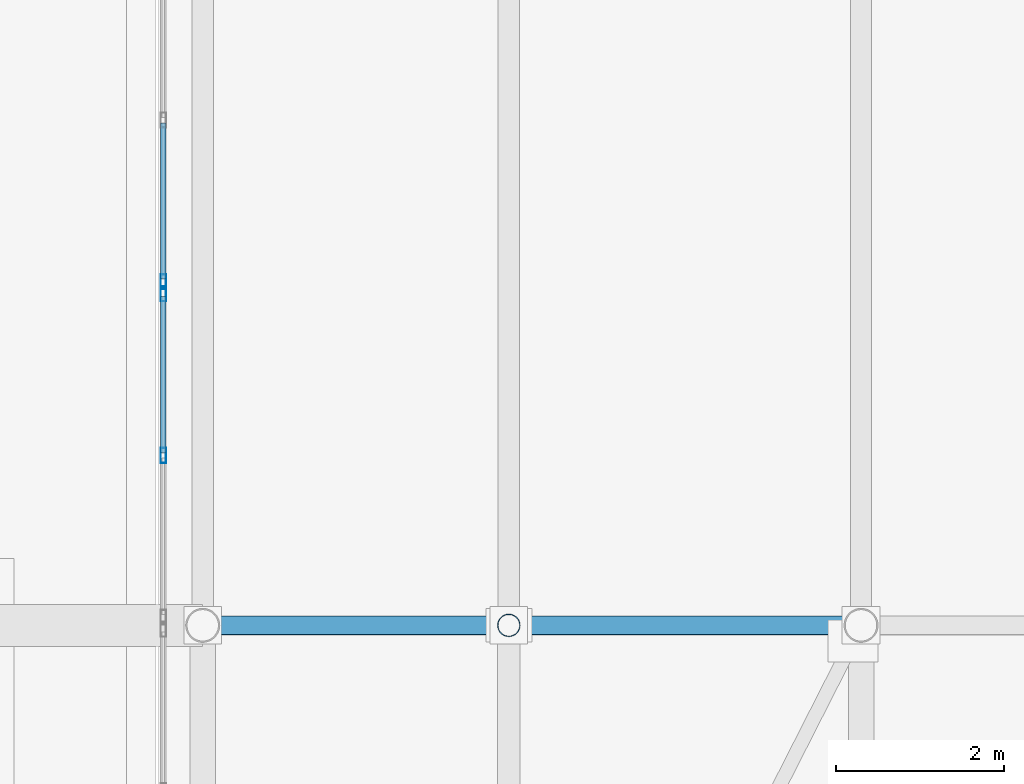
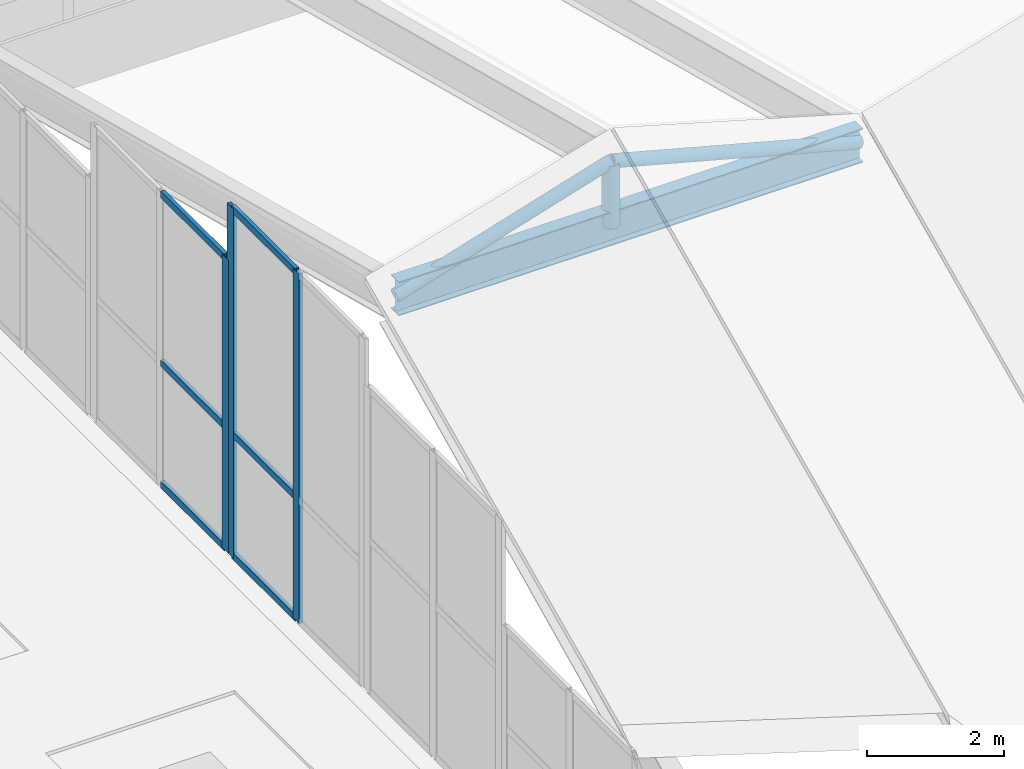
# One storey, part 36 of 184: 12 members, 1 beam, 2 elements without a shape of their own.
"""IFC4 building model written with IfcOpenShell, lengths in metres."""

from ifc_helpers import new_model, si_unit, direction, frame, origin, origin_2d, place, context, subcontext, project, spatial, hollow_rectangle, hollow_circle, i_section, extrude, material, material_profile, profile_set, type_object, element, aggregate, save


model = new_model("IFC4")

# Units and contexts
model_context = context("Model", 3, precision=1e-05, world=origin(), true_north=direction((0.0, 1.0)))
body_context = subcontext(model_context, "Body", "Model", "MODEL_VIEW")
ifc_project = project(units=[si_unit("LENGTHUNIT", "METRE"), si_unit("AREAUNIT", "SQUARE_METRE"), si_unit("VOLUMEUNIT", "CUBIC_METRE"), si_unit("PLANEANGLEUNIT", "RADIAN"), si_unit("MASSUNIT", "GRAM", prefix="KILO")], contexts=[model_context])

# Site, building, storey
site_placement = place(None, origin())
site = spatial("IfcSite", under=ifc_project, at=site_placement, CompositionType="ELEMENT")
building_placement = place(site_placement, origin())
building = spatial("IfcBuilding", under=site, at=building_placement, Name="Selatvlak General Hospital", CompositionType="ELEMENT")
storey_placement = place(building_placement, frame((0.0, 0.0, 15.0)))
storey = spatial("IfcBuildingStorey", under=building, at=storey_placement, Name="L03", CompositionType="ELEMENT", Elevation=15.0)

# Beam
ifc_material_1 = material(Name="Steel S355", Category="steel")
ifc_material_profile_1 = material_profile(ifc_material_1, i_section(OverallWidth=0.228271484375, OverallDepth=0.607666015625, WebThickness=0.010986328125, FlangeThickness=0.017333984375, at=origin_2d()), Name="UB 610x229x113")
ifc_profile_set_1 = profile_set([ifc_material_profile_1], Name="Steel S355")
beam_type = type_object("IfcBeamType", Name="BM-RF4", PredefinedType="BEAM", material=ifc_profile_set_1)
beam_placement = place(storey_placement, frame((23.35009765625, 68.0, 6.87109375), z_axis=(1.0, 0.0, 0.0), x_axis=(0.0, 1.0, 0.0)))
element("IfcBeam", 1, at=beam_placement, inside=storey, type_object=beam_type, Name="Folded roof SP valley girder 1", PredefinedType="BEAM", context=body_context, shape_type="SweptSolid", body=[
    extrude(i_section(OverallWidth=0.228271484375, OverallDepth=0.607666015625, WebThickness=0.010986328125, FlangeThickness=0.017333984375, at=origin_2d()), origin(), (0.0, 0.0, 1.0), 7.849853515625),
])

# Curtain wall, members
ifc_material_2 = material(Name="Solar-control Low-E double glazing", Category="glass")
curtain_wall_type = type_object("IfcCurtainWallType", Name="CW-CW-05", PredefinedType="USERDEFINED", material=ifc_material_2)
curtain_wall_1_placement = place(storey_placement, origin())
curtain_wall_1 = element("IfcCurtainWall", 2, at=curtain_wall_1_placement, inside=storey, type_object=curtain_wall_type, Name="Glazed facade curtain wall CW-L03-0726", ObjectType="STICK GLAZING WALL", PredefinedType="USERDEFINED")
ifc_material_3 = material(Name="Dark anodised aluminium mullion", Category="aluminium")
ifc_material_profile_2 = material_profile(ifc_material_3, hollow_rectangle(XDim=0.06494140625, YDim=0.179931640625, WallThickness=0.00439453125, at=origin_2d()), Name="AL-MUL 65x180x4.5")
ifc_profile_set_2 = profile_set([ifc_material_profile_2], Name="Dark anodised aluminium mullion")
member_type_1 = type_object("IfcMemberType", Name="CWM-02", PredefinedType="MULLION", material=ifc_profile_set_2)
member_1_placement = place(storey_placement, frame((22.8798828125, 70.02490234375, 0.0), z_axis=(0.0, 0.0, 1.0), x_axis=(-1.0, 0.0, 0.0)))
member_1 = element("IfcMember", 3, at=member_1_placement, type_object=member_type_1, Name="CW-05 mullion 2", PredefinedType="MULLION", context=body_context, shape_type="SweptSolid", body=[
    extrude(hollow_rectangle(XDim=0.06494140625, YDim=0.179931640625, WallThickness=0.00439453125, at=origin_2d()), origin(), (0.0, 0.0, 1.0), 6.25),
])
member_2_placement = place(storey_placement, frame((22.8798828125, 71.952392578125, 0.0), z_axis=(0.0, 0.0, 1.0), x_axis=(-1.0, 0.0, 0.0)))
member_2 = element("IfcMember", 4, at=member_2_placement, type_object=member_type_1, Name="CW-05 mullion 3", PredefinedType="MULLION", context=body_context, shape_type="SweptSolid", body=[
    extrude(hollow_rectangle(XDim=0.06494140625, YDim=0.179931640625, WallThickness=0.00439453125, at=origin_2d()), origin(), (0.0, 0.0, 1.0), 6.25),
])

# Curtain wall, member
curtain_wall_2_placement = place(storey_placement, origin())
curtain_wall_2 = element("IfcCurtainWall", 5, at=curtain_wall_2_placement, inside=storey, type_object=curtain_wall_type, Name="Glazed facade curtain wall CW-L03-0727", ObjectType="STICK GLAZING WALL", PredefinedType="USERDEFINED")
member_3_placement = place(storey_placement, frame((22.8798828125, 72.097412109375, 0.0), z_axis=(0.0, 0.0, 1.0), x_axis=(-1.0, 0.0, 0.0)))
member_3 = element("IfcMember", 6, at=member_3_placement, type_object=member_type_1, Name="CW-05 mullion 1", PredefinedType="MULLION", context=body_context, shape_type="SweptSolid", body=[
    extrude(hollow_rectangle(XDim=0.06494140625, YDim=0.179931640625, WallThickness=0.00439453125, at=origin_2d()), origin(), (0.0, 0.0, 1.0), 5.25),
])

# Member
ifc_material_profile_3 = material_profile(ifc_material_3, hollow_rectangle(XDim=0.06494140625, YDim=0.1201171875, WallThickness=0.00390625, at=origin_2d()), Name="AL-TRN 65x120x4")
ifc_profile_set_3 = profile_set([ifc_material_profile_3], Name="Dark anodised aluminium mullion")
member_type_2 = type_object("IfcMemberType", Name="CWT-01", PredefinedType="USERDEFINED", material=ifc_profile_set_3)
member_4_placement = place(storey_placement, frame((22.8798828125, 70.0576171875, 0.032470703125), z_axis=(0.0, 1.0, 0.0), x_axis=(-1.0, 0.0, 0.0)))
member_4 = element("IfcMember", 7, at=member_4_placement, type_object=member_type_2, Name="CW-05 transom 2.1", ObjectType="TRANSOM", PredefinedType="USERDEFINED", context=body_context, shape_type="SweptSolid", body=[
    extrude(hollow_rectangle(XDim=0.06494140625, YDim=0.1201171875, WallThickness=0.00390625, at=origin_2d()), origin(), (0.0, 0.0, 1.0), 1.8623046875),
])

member_5_placement = place(storey_placement, frame((22.8798828125, 70.0576171875, 2.199951171875), z_axis=(0.0, 1.0, 0.0), x_axis=(-1.0, 0.0, 0.0)))
member_5 = element("IfcMember", 8, at=member_5_placement, type_object=member_type_2, Name="CW-05 transom 2.2", ObjectType="TRANSOM", PredefinedType="USERDEFINED", context=body_context, shape_type="SweptSolid", body=[
    extrude(hollow_rectangle(XDim=0.06494140625, YDim=0.1201171875, WallThickness=0.00390625, at=origin_2d()), origin(), (0.0, 0.0, 1.0), 1.8623046875),
])

member_6_placement = place(storey_placement, frame((22.8798828125, 70.0576171875, 6.217529296875), z_axis=(0.0, 1.0, 0.0), x_axis=(-1.0, 0.0, 0.0)))
member_6 = element("IfcMember", 9, at=member_6_placement, type_object=member_type_2, Name="CW-05 transom 2.3", ObjectType="TRANSOM", PredefinedType="USERDEFINED", context=body_context, shape_type="SweptSolid", body=[
    extrude(hollow_rectangle(XDim=0.06494140625, YDim=0.1201171875, WallThickness=0.00390625, at=origin_2d()), origin(), (0.0, 0.0, 1.0), 1.8623046875),
])

aggregate(curtain_wall_1, [member_1, member_2, member_4, member_5, member_6])

member_7_placement = place(storey_placement, frame((22.8798828125, 72.1298828125, 0.032470703125), z_axis=(0.0, 1.0, 0.0), x_axis=(-1.0, 0.0, 0.0)))
member_7 = element("IfcMember", 10, at=member_7_placement, type_object=member_type_2, Name="CW-05 transom 1.1", ObjectType="TRANSOM", PredefinedType="USERDEFINED", context=body_context, shape_type="SweptSolid", body=[
    extrude(hollow_rectangle(XDim=0.06494140625, YDim=0.1201171875, WallThickness=0.00390625, at=origin_2d()), origin(), (0.0, 0.0, 1.0), 1.862548828125),
])

member_8_placement = place(storey_placement, frame((22.8798828125, 72.1298828125, 2.199951171875), z_axis=(0.0, 1.0, 0.0), x_axis=(-1.0, 0.0, 0.0)))
member_8 = element("IfcMember", 11, at=member_8_placement, type_object=member_type_2, Name="CW-05 transom 1.2", ObjectType="TRANSOM", PredefinedType="USERDEFINED", context=body_context, shape_type="SweptSolid", body=[
    extrude(hollow_rectangle(XDim=0.06494140625, YDim=0.1201171875, WallThickness=0.00390625, at=origin_2d()), origin(), (0.0, 0.0, 1.0), 1.862548828125),
])

member_9_placement = place(storey_placement, frame((22.8798828125, 72.1298828125, 5.217529296875), z_axis=(0.0, 1.0, 0.0), x_axis=(-1.0, 0.0, 0.0)))
member_9 = element("IfcMember", 12, at=member_9_placement, type_object=member_type_2, Name="CW-05 transom 1.3", ObjectType="TRANSOM", PredefinedType="USERDEFINED", context=body_context, shape_type="SweptSolid", body=[
    extrude(hollow_rectangle(XDim=0.06494140625, YDim=0.1201171875, WallThickness=0.00390625, at=origin_2d()), origin(), (0.0, 0.0, 1.0), 1.862548828125),
])

aggregate(curtain_wall_2, [member_3, member_7, member_8, member_9])

# Members
ifc_material_profile_4 = material_profile(ifc_material_1, hollow_circle(Radius=0.109619140625, WallThickness=0.008056640625, at=origin_2d()), Name="CHS 219.1x8")
ifc_profile_set_4 = profile_set([ifc_material_profile_4], Name="Steel S355")
member_type_3 = type_object("IfcMemberType", Name="MEM-BR1", PredefinedType="BRACE", material=ifc_profile_set_4)
member_10_placement = place(storey_placement, frame((23.35009765625, 68.0, 6.87109375), z_axis=(0.955796977269, 0.0, 0.294027444713), x_axis=(0.0, 1.0, 0.0)))
element("IfcMember", 13, at=member_10_placement, inside=storey, type_object=member_type_3, Name="Folded roof V-brace SP-1L", PredefinedType="BRACE", context=body_context, shape_type="SweptSolid", body=[
    extrude(hollow_circle(Radius=0.109619140625, WallThickness=0.008056640625, at=origin_2d()), origin(), (0.0, 0.0, 1.0), 3.818603515625),
])
member_11_placement = place(storey_placement, frame((31.199951171875, 68.0, 6.87109375), z_axis=(-0.966073502135, 0.0, 0.258267281074), x_axis=(0.0, -1.0, 0.0)))
element("IfcMember", 14, at=member_11_placement, inside=storey, type_object=member_type_3, Name="Folded roof V-brace SP-1R", PredefinedType="BRACE", context=body_context, shape_type="SweptSolid", body=[
    extrude(hollow_circle(Radius=0.109619140625, WallThickness=0.008056640625, at=origin_2d()), origin(), (0.0, 0.0, 1.0), 4.347412109375),
])
ifc_material_profile_5 = material_profile(ifc_material_1, hollow_circle(Radius=0.136474609375, WallThickness=0.010009765625, at=origin_2d()), Name="CHS 273.0x10")
ifc_profile_set_5 = profile_set([ifc_material_profile_5], Name="Steel S355")
member_type_4 = type_object("IfcMemberType", Name="MEM-ST1", PredefinedType="STRUT", material=ifc_profile_set_5)
member_12_placement = place(storey_placement, frame((27.0, 68.0, 6.87109375), z_axis=(0.0, 0.0, 1.0), x_axis=(1.0, 0.0, 0.0)))
element("IfcMember", 15, at=member_12_placement, inside=storey, type_object=member_type_4, Name="Folded roof ridge kingpost SP-1", PredefinedType="STRUT", context=body_context, shape_type="SweptSolid", body=[
    extrude(hollow_circle(Radius=0.136474609375, WallThickness=0.010009765625, at=origin_2d()), origin(), (0.0, 0.0, 1.0), 1.122802734375),
])

save(model, "model.ifc")
